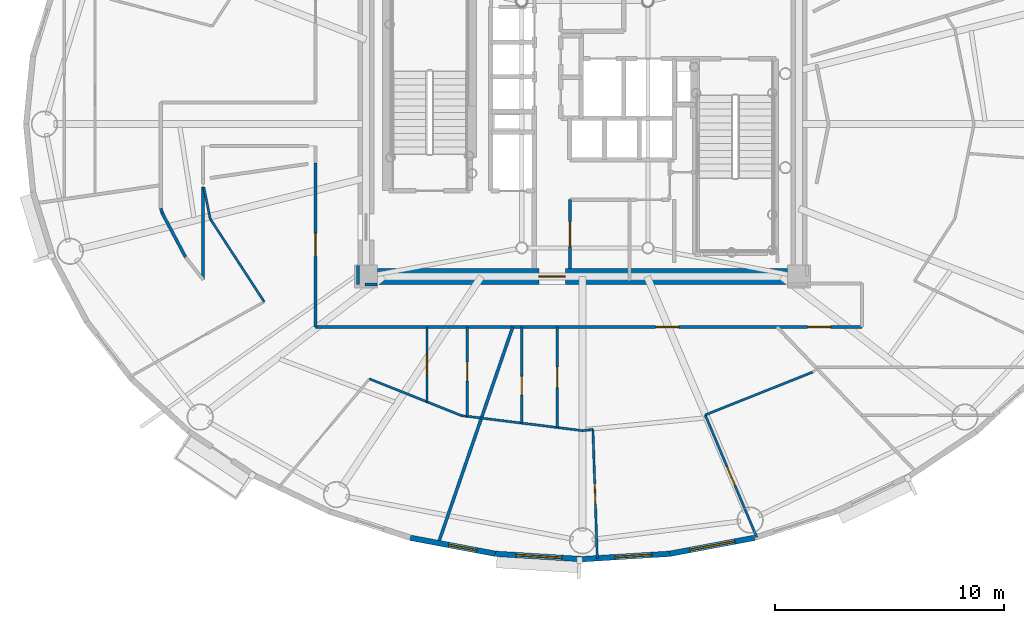
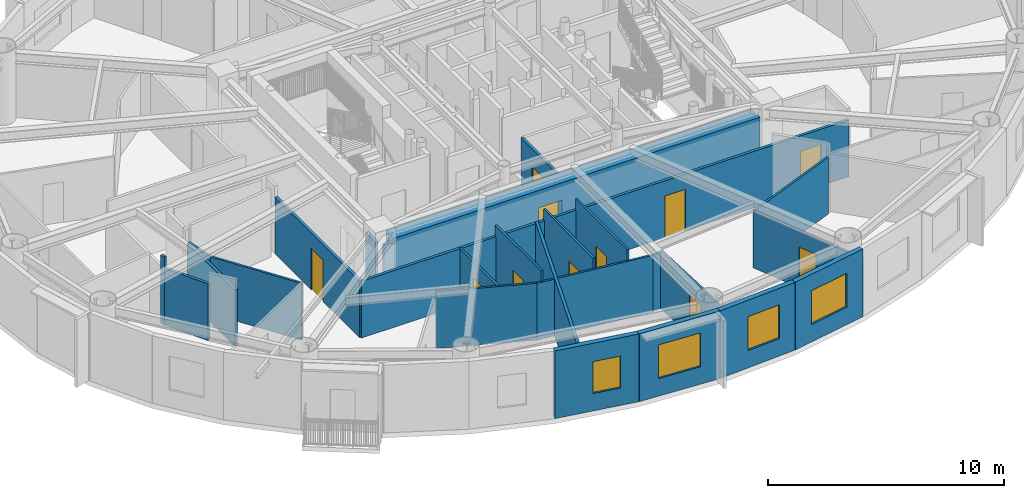
# One storey, part 7 of 19: 26 walls, 11 doors, 4 windows, 15 openings.
"""IFC4 building model written with IfcOpenShell, lengths in metres."""

from ifc_helpers import new_model, si_unit, direction, frame, frame_2d, origin, origin_2d, place, context, subcontext, project, spatial, rectangle, extrude, source, transform, mapped, material, layer, layer_set, type_object, element, fill, save


model = new_model("IFC4")

# Units and contexts
model_context = context("Model", 3, precision=1e-05, world=origin(), true_north=direction((0.0, 1.0)))
body_context = subcontext(model_context, "Body", "Model", "MODEL_VIEW")
ifc_project = project(units=[si_unit("LENGTHUNIT", "METRE"), si_unit("AREAUNIT", "SQUARE_METRE"), si_unit("VOLUMEUNIT", "CUBIC_METRE"), si_unit("PLANEANGLEUNIT", "RADIAN"), si_unit("MASSUNIT", "GRAM", prefix="KILO")], contexts=[model_context])

# Site, building, storey
site_placement = place(None, origin())
site = spatial("IfcSite", under=ifc_project, at=site_placement, CompositionType="ELEMENT")
building_placement = place(site_placement, origin())
building = spatial("IfcBuilding", under=site, at=building_placement, Name="Linh Dai School and Residence Tower", CompositionType="ELEMENT")
storey_placement = place(building_placement, frame((0.0, 0.0, 236.550048828125)))
storey = spatial("IfcBuildingStorey", under=building, at=storey_placement, Name="L58", CompositionType="ELEMENT", Elevation=236.550048828125)

# Wall, opening, window
ifc_material_1 = material(Name="Precast Concrete B45 (C35/45)", Category="concrete")
ifc_layer_1 = layer(ifc_material_1, 0.239990234375)
ifc_layer_set_1 = layer_set([ifc_layer_1], Name="Precast Concrete B45 (C35/45)")
wall_type_1 = type_object("IfcWallType", Name="EW-TC-240", PredefinedType="SOLIDWALL", material=ifc_layer_set_1)
wall_1_placement = place(storey_placement, frame((32.198486328125, 8.254150390625, 0.0), z_axis=(0.0, 0.0, 1.0), x_axis=(-0.982784898575, 0.184753465822, 0.0)))
wall_1 = element("IfcWall", 1, at=wall_1_placement, inside=storey, type_object=wall_type_1, Name="L58 Terracotta Exterior Wall 29", PredefinedType="SOLIDWALL", context=body_context, shape_type="SweptSolid", body=[
    extrude(rectangle(XDim=3.772705078125, YDim=0.239990234375, at=frame_2d((1.88623046875, 0.0))), origin(), (0.0, 0.0, 1.0), 3.5),
])
opening_1_placement = place(wall_1_placement, frame((0.824462890625, 0.0, 0.89990234375)))
opening_1 = element("IfcOpeningElement", 2, at=opening_1_placement, cuts=wall_1, Name="Opening W3", PredefinedType="OPENING", context=body_context, shape_type="SweptSolid", body=[
    extrude(rectangle(XDim=1.25, YDim=1.64990234375, at=origin_2d()), frame((0.625, 0.1298828125, 0.824951171875), z_axis=(0.0, -1.0, 0.0), x_axis=(1.0, 0.0, 0.0)), (0.0, 0.0, 1.0), 0.260009765625),
])
ifc_material_2 = material(Name="Double Low-E Insulated Glazing", Category="glass")
window_type_1 = type_object("IfcWindowType", Name="WN-RES-1250x1650", PartitioningType="SINGLE_PANEL", PredefinedType="WINDOW", material=ifc_material_2)
shared_shape_1 = source(origin(), body_context, "Body", "SweptSolid", [
    extrude(rectangle(XDim=1.25, YDim=1.64990234375, at=origin_2d()), frame((0.625, 0.030029296875, 0.824951171875), z_axis=(0.0, -1.0, 0.0), x_axis=(1.0, 0.0, 0.0)), (0.0, 0.0, 1.0), 0.06005859375),
])
window_1_placement = place(opening_1_placement, origin())
window_1 = element("IfcWindow", 3, at=window_1_placement, inside=storey, type_object=window_type_1, Name="L58 Exterior Window 29.1", OverallHeight=1.64990234375, OverallWidth=1.25, PartitioningType="SINGLE_PANEL", PredefinedType="WINDOW", context=body_context, shape_type="MappedRepresentation", body=[
    mapped(shared_shape_1, transform((0.0, 0.0, 0.0), x_axis=(1.0, 0.0, 0.0), y_axis=(0.0, 1.0, 0.0), z_axis=(0.0, 0.0, 1.0), scale=1.0)),
])
fill(opening_1, window_1)

wall_2_placement = place(storey_placement, frame((36.0, 8.02001953125, 0.0), z_axis=(0.0, 0.0, 1.0), x_axis=(-0.998108785312, 0.06147237333, 0.0)))
wall_2 = element("IfcWall", 4, at=wall_2_placement, inside=storey, type_object=wall_type_1, Name="L58 Terracotta Exterior Wall 30", PredefinedType="SOLIDWALL", context=body_context, shape_type="SweptSolid", body=[
    extrude(rectangle(XDim=3.808837890625, YDim=0.239990234375, at=frame_2d((1.904296875, 0.0))), origin(), (0.0, 0.0, 1.0), 3.5),
])
opening_2_placement = place(wall_2_placement, frame((0.904296875, 0.0, 0.89990234375)))
opening_2 = element("IfcOpeningElement", 5, at=opening_2_placement, cuts=wall_2, Name="Opening W1", PredefinedType="OPENING", context=body_context, shape_type="SweptSolid", body=[
    extrude(rectangle(XDim=2.0, YDim=1.75, at=origin_2d()), frame((1.0, 0.1298828125, 0.875), z_axis=(0.0, -1.0, 0.0), x_axis=(1.0, 0.0, 0.0)), (0.0, 0.0, 1.0), 0.260009765625),
])
window_type_2 = type_object("IfcWindowType", Name="WN-RES-2000x1750", PartitioningType="DOUBLE_PANEL_VERTICAL", PredefinedType="WINDOW", material=ifc_material_2)
shared_shape_2 = source(origin(), body_context, "Body", "SweptSolid", [
    extrude(rectangle(XDim=2.0, YDim=1.75, at=origin_2d()), frame((1.0, 0.030029296875, 0.875), z_axis=(0.0, -1.0, 0.0), x_axis=(1.0, 0.0, 0.0)), (0.0, 0.0, 1.0), 0.06005859375),
])
window_2_placement = place(opening_2_placement, origin())
window_2 = element("IfcWindow", 6, at=window_2_placement, inside=storey, type_object=window_type_2, Name="L58 Exterior Window 30.1", OverallHeight=1.75, OverallWidth=2.0, PartitioningType="DOUBLE_PANEL_VERTICAL", PredefinedType="WINDOW", context=body_context, shape_type="MappedRepresentation", body=[
    mapped(shared_shape_2, transform((0.0, 0.0, 0.0), x_axis=(1.0, 0.0, 0.0), y_axis=(0.0, 1.0, 0.0), z_axis=(0.0, 0.0, 1.0), scale=1.0)),
])
fill(opening_2, window_2)

wall_3_placement = place(storey_placement, frame((39.801513671875, 8.254150390625, 0.0), z_axis=(0.0, 0.0, 1.0), x_axis=(-0.998108785312, -0.06147237333, 0.0)))
wall_3 = element("IfcWall", 7, at=wall_3_placement, inside=storey, type_object=wall_type_1, Name="L58 Terracotta Exterior Wall 31", PredefinedType="SOLIDWALL", context=body_context, shape_type="SweptSolid", body=[
    extrude(rectangle(XDim=3.808837890625, YDim=0.239990234375, at=frame_2d((1.904296875, 0.0))), origin(), (0.0, 0.0, 1.0), 3.5),
])
opening_3_placement = place(wall_3_placement, frame((0.78466796875, 0.0, 0.89990234375)))
opening_3 = element("IfcOpeningElement", 8, at=opening_3_placement, cuts=wall_3, Name="Opening W2", PredefinedType="OPENING", context=body_context, shape_type="SweptSolid", body=[
    extrude(rectangle(XDim=1.60009765625, YDim=1.75, at=origin_2d()), frame((0.800048828125, 0.1298828125, 0.875), z_axis=(0.0, -1.0, 0.0), x_axis=(1.0, 0.0, 0.0)), (0.0, 0.0, 1.0), 0.260009765625),
])
window_type_3 = type_object("IfcWindowType", Name="WN-RES-1600x1750", PartitioningType="DOUBLE_PANEL_VERTICAL", PredefinedType="WINDOW", material=ifc_material_2)
shared_shape_3 = source(origin(), body_context, "Body", "SweptSolid", [
    extrude(rectangle(XDim=1.60009765625, YDim=1.75, at=origin_2d()), frame((0.800048828125, 0.030029296875, 0.875), z_axis=(0.0, -1.0, 0.0), x_axis=(1.0, 0.0, 0.0)), (0.0, 0.0, 1.0), 0.06005859375),
])
window_3_placement = place(opening_3_placement, origin())
window_3 = element("IfcWindow", 9, at=window_3_placement, inside=storey, type_object=window_type_3, Name="L58 Exterior Window 31.1", OverallHeight=1.75, OverallWidth=1.60009765625, PartitioningType="DOUBLE_PANEL_VERTICAL", PredefinedType="WINDOW", context=body_context, shape_type="MappedRepresentation", body=[
    mapped(shared_shape_3, transform((0.0, 0.0, 0.0), x_axis=(1.0, 0.0, 0.0), y_axis=(0.0, 1.0, 0.0), z_axis=(0.0, 0.0, 1.0), scale=1.0)),
])
fill(opening_3, window_3)

wall_4_placement = place(storey_placement, frame((43.50927734375, 8.951171875, 0.0), z_axis=(0.0, 0.0, 1.0), x_axis=(-0.982784898575, -0.184753465822, 0.0)))
wall_4 = element("IfcWall", 10, at=wall_4_placement, inside=storey, type_object=wall_type_1, Name="L58 Terracotta Exterior Wall 32", PredefinedType="SOLIDWALL", context=body_context, shape_type="SweptSolid", body=[
    extrude(rectangle(XDim=3.772705078125, YDim=0.239990234375, at=frame_2d((1.88623046875, 0.0))), origin(), (0.0, 0.0, 1.0), 3.5),
])
opening_4_placement = place(wall_4_placement, frame((0.88623046875, 0.0, 0.89990234375)))
opening_4 = element("IfcOpeningElement", 11, at=opening_4_placement, cuts=wall_4, Name="Opening W1", PredefinedType="OPENING", context=body_context, shape_type="SweptSolid", body=[
    extrude(rectangle(XDim=2.0, YDim=1.75, at=origin_2d()), frame((1.0, 0.1298828125, 0.875), z_axis=(0.0, -1.0, 0.0), x_axis=(1.0, 0.0, 0.0)), (0.0, 0.0, 1.0), 0.260009765625),
])
window_4_placement = place(opening_4_placement, origin())
window_4 = element("IfcWindow", 12, at=window_4_placement, inside=storey, type_object=window_type_2, Name="L58 Exterior Window 32.1", OverallHeight=1.75, OverallWidth=2.0, PartitioningType="DOUBLE_PANEL_VERTICAL", PredefinedType="WINDOW", context=body_context, shape_type="MappedRepresentation", body=[
    mapped(shared_shape_2, transform((0.0, 0.0, 0.0), x_axis=(1.0, 0.0, 0.0), y_axis=(0.0, 1.0, 0.0), z_axis=(0.0, 0.0, 1.0), scale=1.0)),
])
fill(opening_4, window_4)

# Walls
ifc_material_3 = material(Name="Autoclaved Aerated Concrete Blockwork", Category="masonry")
ifc_layer_2 = layer(ifc_material_3, 0.135009765625)
ifc_layer_set_2 = layer_set([ifc_layer_2], Name="Autoclaved Aerated Concrete Blockwork")
wall_type_2 = type_object("IfcWallType", Name="IW-CORR-135-EI90", PredefinedType="PARTITIONING", material=ifc_layer_set_2)
wall_5_placement = place(storey_placement, frame((17.60009765625, 23.327880859375, 0.0), z_axis=(0.0, 0.0, 1.0), x_axis=(0.292875000845, -0.956150738053, 0.0)))
element("IfcWall", 13, at=wall_5_placement, inside=storey, type_object=wall_type_2, Name="L58 Interior Partition Wall 008", PredefinedType="PARTITIONING", context=body_context, shape_type="SweptSolid", body=[
    extrude(rectangle(XDim=0.226806640625, YDim=0.135009765625, at=frame_2d((0.11328125, 0.0))), origin(), (0.0, 0.0, 1.0), 3.5),
])
wall_6_placement = place(storey_placement, frame((17.66650390625, 23.111083984375, 0.0), z_axis=(0.0, 0.0, 1.0), x_axis=(0.467675622269, -0.883900171024, 0.0)))
element("IfcWall", 14, at=wall_6_placement, inside=storey, type_object=wall_type_2, Name="L58 Interior Partition Wall 010", PredefinedType="PARTITIONING", context=body_context, shape_type="SweptSolid", body=[
    extrude(rectangle(XDim=2.16845703125, YDim=0.135009765625, at=frame_2d((1.084228515625, 0.0))), origin(), (0.0, 0.0, 1.0), 2.93505859375),
])
wall_7_placement = place(storey_placement, frame((19.449951171875, 20.211181640625, 0.0), z_axis=(0.0, 0.0, 1.0), x_axis=(0.0, 1.0, 0.0)))
element("IfcWall", 15, at=wall_7_placement, inside=storey, type_object=wall_type_2, Name="L58 Interior Partition Wall 013", PredefinedType="PARTITIONING", context=body_context, shape_type="SweptSolid", body=[
    extrude(rectangle(XDim=4.042236328125, YDim=0.135009765625, at=frame_2d((2.02099609375, 0.0))), origin(), (0.0, 0.0, 1.0), 2.93505859375),
])

# Wall, opening, door
wall_8_placement = place(storey_placement, frame((24.35009765625, 18.14990234375, 0.0), z_axis=(0.0, 0.0, 1.0), x_axis=(0.0, 1.0, 0.0)))
wall_8 = element("IfcWall", 16, at=wall_8_placement, inside=storey, type_object=wall_type_2, Name="L58 Interior Partition Wall 020", PredefinedType="PARTITIONING", context=body_context, shape_type="SweptSolid", body=[
    extrude(rectangle(XDim=7.16259765625, YDim=0.135009765625, at=frame_2d((3.581298828125, 0.0))), origin(), (0.0, 0.0, 1.0), 2.93505859375),
])
opening_5_placement = place(wall_8_placement, frame((3.081298828125, 0.0, 0.0)))
opening_5 = element("IfcOpeningElement", 17, at=opening_5_placement, cuts=wall_8, Name="Opening D03", PredefinedType="OPENING", context=body_context, shape_type="SweptSolid", body=[
    extrude(rectangle(XDim=1.0, YDim=2.14990234375, at=origin_2d()), frame((0.5, 0.07763671875, 1.074951171875), z_axis=(0.0, -1.0, 0.0), x_axis=(1.0, 0.0, 0.0)), (0.0, 0.0, 1.0), 0.155029296875),
])
ifc_material_4 = material(Name="Fire-Rated Solid Timber Entrance Door", Category="wood")
door_type_1 = type_object("IfcDoorType", Name="DR-FLAT-1000x2150-FD60S", OperationType="NOTDEFINED", PredefinedType="DOOR", material=ifc_material_4)
shared_shape_4 = source(origin(), body_context, "Body", "SweptSolid", [
    extrude(rectangle(XDim=1.0, YDim=2.14990234375, at=origin_2d()), frame((0.5, 0.02490234375, 1.074951171875), z_axis=(0.0, -1.0, 0.0), x_axis=(1.0, 0.0, 0.0)), (0.0, 0.0, 1.0), 0.050048828125),
])
door_1_placement = place(opening_5_placement, origin())
door_1 = element("IfcDoor", 18, at=door_1_placement, inside=storey, type_object=door_type_1, Name="L58 U5803 Apartment Entrance Door", OperationType="SINGLE_SWING_RIGHT", OverallHeight=2.14990234375, OverallWidth=1.0, PredefinedType="DOOR", context=body_context, shape_type="MappedRepresentation", body=[
    mapped(shared_shape_4, transform((0.0, 0.0, 0.0), x_axis=(1.0, 0.0, 0.0), y_axis=(0.0, 1.0, 0.0), z_axis=(0.0, 0.0, 1.0), scale=1.0)),
])
fill(opening_5, door_1)

# Wall, openings, doors
wall_9_placement = place(storey_placement, frame((24.35009765625, 18.14990234375, 0.0), z_axis=(0.0, 0.0, 1.0), x_axis=(1.0, 0.0, 0.0)))
wall_9 = element("IfcWall", 19, at=wall_9_placement, inside=storey, type_object=wall_type_2, Name="L58 Interior Partition Wall 021", PredefinedType="PARTITIONING", context=body_context, shape_type="SweptSolid", body=[
    extrude(rectangle(XDim=23.849853515625, YDim=0.135009765625, at=frame_2d((11.9248046875, 0.0))), origin(), (0.0, 0.0, 1.0), 2.93505859375),
])
opening_6_placement = place(wall_9_placement, frame((14.838134765625, 0.0, 0.0)))
opening_6 = element("IfcOpeningElement", 20, at=opening_6_placement, cuts=wall_9, Name="Opening D03", PredefinedType="OPENING", context=body_context, shape_type="SweptSolid", body=[
    extrude(rectangle(XDim=1.0, YDim=2.14990234375, at=origin_2d()), frame((0.5, 0.07763671875, 1.074951171875), z_axis=(0.0, -1.0, 0.0), x_axis=(1.0, 0.0, 0.0)), (0.0, 0.0, 1.0), 0.155029296875),
])
opening_7_placement = place(wall_9_placement, frame((21.472412109375, 0.0, 0.0)))
opening_7 = element("IfcOpeningElement", 21, at=opening_7_placement, cuts=wall_9, Name="Opening D03", PredefinedType="OPENING", context=body_context, shape_type="SweptSolid", body=[
    extrude(rectangle(XDim=1.0, YDim=2.14990234375, at=origin_2d()), frame((0.5, 0.07763671875, 1.074951171875), z_axis=(0.0, -1.0, 0.0), x_axis=(1.0, 0.0, 0.0)), (0.0, 0.0, 1.0), 0.155029296875),
])
door_2_placement = place(opening_6_placement, origin())
door_2 = element("IfcDoor", 22, at=door_2_placement, inside=storey, type_object=door_type_1, Name="L58 U5804 Apartment Entrance Door", OperationType="SINGLE_SWING_LEFT", OverallHeight=2.14990234375, OverallWidth=1.0, PredefinedType="DOOR", context=body_context, shape_type="MappedRepresentation", body=[
    mapped(shared_shape_4, transform((0.0, 0.0, 0.0), x_axis=(1.0, 0.0, 0.0), y_axis=(0.0, 1.0, 0.0), z_axis=(0.0, 0.0, 1.0), scale=1.0)),
])
fill(opening_6, door_2)
door_3_placement = place(opening_7_placement, origin())
door_3 = element("IfcDoor", 23, at=door_3_placement, inside=storey, type_object=door_type_1, Name="L58 U5805 Apartment Entrance Door", OperationType="SINGLE_SWING_RIGHT", OverallHeight=2.14990234375, OverallWidth=1.0, PredefinedType="DOOR", context=body_context, shape_type="MappedRepresentation", body=[
    mapped(shared_shape_4, transform((0.0, 0.0, 0.0), x_axis=(1.0, 0.0, 0.0), y_axis=(0.0, 1.0, 0.0), z_axis=(0.0, 0.0, 1.0), scale=1.0)),
])
fill(opening_7, door_3)

# Wall
wall_10_placement = place(storey_placement, frame((29.7109375, 8.716796875, 0.0), z_axis=(0.0, 0.0, 1.0), x_axis=(0.325280852175, 0.945617452889, 0.0)))
element("IfcWall", 24, at=wall_10_placement, inside=storey, type_object=wall_type_2, Name="L58 Interior Partition Wall 029", PredefinedType="PARTITIONING", context=body_context, shape_type="SweptSolid", body=[
    extrude(rectangle(XDim=9.9755859375, YDim=0.135009765625, at=frame_2d((4.98779296875, 0.0))), origin(), (0.0, 0.0, 1.0), 2.98486328125),
])

# Wall, opening, door
wall_11_placement = place(storey_placement, frame((35.449951171875, 20.699951171875, 0.0), z_axis=(0.0, 0.0, 1.0), x_axis=(0.0, 1.0, 0.0)))
wall_11 = element("IfcWall", 25, at=wall_11_placement, inside=storey, type_object=wall_type_2, Name="L58 Interior Partition Wall 052", PredefinedType="PARTITIONING", context=body_context, shape_type="SweptSolid", body=[
    extrude(rectangle(XDim=3.0, YDim=0.135009765625, at=frame_2d((1.5, 0.0))), origin(), (0.0, 0.0, 1.0), 3.0849609375),
])
opening_8_placement = place(wall_11_placement, frame((0.949951171875, 0.0, 0.0)))
opening_8 = element("IfcOpeningElement", 26, at=opening_8_placement, cuts=wall_11, Name="Opening D07", PredefinedType="OPENING", context=body_context, shape_type="SweptSolid", body=[
    extrude(rectangle(XDim=1.10009765625, YDim=2.14990234375, at=origin_2d()), frame((0.550048828125, 0.07763671875, 1.074951171875), z_axis=(0.0, -1.0, 0.0), x_axis=(1.0, 0.0, 0.0)), (0.0, 0.0, 1.0), 0.155029296875),
])
ifc_material_5 = material(Name="Fire-Rated Louvred Steel Plant Door", Category="steel")
door_type_2 = type_object("IfcDoorType", Name="DR-PLT-1100x2150-FD60S", OperationType="NOTDEFINED", PredefinedType="DOOR", material=ifc_material_5)
shared_shape_5 = source(origin(), body_context, "Body", "SweptSolid", [
    extrude(rectangle(XDim=1.10009765625, YDim=2.14990234375, at=origin_2d()), frame((0.550048828125, 0.02490234375, 1.074951171875), z_axis=(0.0, -1.0, 0.0), x_axis=(1.0, 0.0, 0.0)), (0.0, 0.0, 1.0), 0.050048828125),
])
door_4_placement = place(opening_8_placement, origin())
door_4 = element("IfcDoor", 27, at=door_4_placement, inside=storey, type_object=door_type_2, Name="L58 Floor Electrical Switchroom Door", OperationType="SINGLE_SWING_RIGHT", OverallHeight=2.14990234375, OverallWidth=1.10009765625, PredefinedType="DOOR", context=body_context, shape_type="MappedRepresentation", body=[
    mapped(shared_shape_5, transform((0.0, 0.0, 0.0), x_axis=(1.0, 0.0, 0.0), y_axis=(0.0, 1.0, 0.0), z_axis=(0.0, 0.0, 1.0), scale=1.0)),
])
fill(opening_8, door_4)

# Walls
wall_12_placement = place(storey_placement, frame((26.199951171875, 20.840087890625, 0.0), z_axis=(0.0, 0.0, 1.0), x_axis=(0.0, -1.0, 0.0)))
element("IfcWall", 28, at=wall_12_placement, inside=storey, type_object=wall_type_2, Name="L58 Interior Partition Wall 112", PredefinedType="PARTITIONING", context=body_context, shape_type="SweptSolid", body=[
    extrude(rectangle(XDim=0.840087890625, YDim=0.135009765625, at=frame_2d((0.419921875, 0.0))), origin(), (0.0, 0.0, 1.0), 3.18505859375),
])
wall_13_placement = place(storey_placement, frame((26.507568359375, 20.0, 0.0), z_axis=(0.0, 0.0, 1.0), x_axis=(1.0, 0.0, 0.0)))
element("IfcWall", 29, at=wall_13_placement, inside=storey, type_object=wall_type_2, Name="L58 Interior Partition Wall 113", PredefinedType="PARTITIONING", context=body_context, shape_type="SweptSolid", body=[
    extrude(rectangle(XDim=0.532470703125, YDim=0.135009765625, at=frame_2d((0.26611328125, 0.0))), origin(), (0.0, 0.0, 1.0), 2.93505859375),
])
ifc_material_6 = material(Name="Gypsum Plasterboard Acoustic Stud Partition", Category="masonry")
ifc_layer_3 = layer(ifc_material_6, 0.10009765625)
ifc_layer_set_3 = layer_set([ifc_layer_3], Name="Gypsum Plasterboard Acoustic Stud Partition")
wall_type_3 = type_object("IfcWallType", Name="IW-UNIT-100", PredefinedType="PARTITIONING", material=ifc_layer_set_3)
wall_14_placement = place(storey_placement, frame((19.47509765625, 24.255859375, 0.0), z_axis=(0.0, 0.0, 1.0), x_axis=(0.198203790622, -0.980160832406, 0.0)))
element("IfcWall", 30, at=wall_14_placement, inside=storey, type_object=wall_type_3, Name="L58 Interior Partition Wall 015", PredefinedType="PARTITIONING", context=body_context, shape_type="SweptSolid", body=[
    extrude(rectangle(XDim=1.41650390625, YDim=0.10009765625, at=frame_2d((0.708251953125, 0.0))), origin(), (0.0, 0.0, 1.0), 2.93505859375),
])
wall_15_placement = place(storey_placement, frame((19.755859375, 22.867431640625, 0.0), z_axis=(0.0, 0.0, 1.0), x_axis=(0.545441385955, -0.83814896915, 0.0)))
element("IfcWall", 31, at=wall_15_placement, inside=storey, type_object=wall_type_3, Name="L58 Interior Partition Wall 016", PredefinedType="PARTITIONING", context=body_context, shape_type="SweptSolid", body=[
    extrude(rectangle(XDim=4.318115234375, YDim=0.10009765625, at=frame_2d((2.1591796875, 0.0))), origin(), (0.0, 0.0, 1.0), 2.93505859375),
])
wall_16_placement = place(storey_placement, frame((26.703369140625, 15.88427734375, 0.0), z_axis=(0.0, 0.0, 1.0), x_axis=(0.928807108231, -0.370563564991, 0.0)))
element("IfcWall", 32, at=wall_16_placement, inside=storey, type_object=wall_type_3, Name="L58 Interior Partition Wall 025", PredefinedType="PARTITIONING", context=body_context, shape_type="SweptSolid", body=[
    extrude(rectangle(XDim=4.32666015625, YDim=0.10009765625, at=frame_2d((2.163330078125, 0.0))), origin(), (0.0, 0.0, 1.0), 2.93505859375),
])

# Wall, opening, door
wall_17_placement = place(storey_placement, frame((29.212890625, 14.883056640625, 0.0), z_axis=(0.0, 0.0, 1.0), x_axis=(0.0, 1.0, 0.0)))
wall_17 = element("IfcWall", 33, at=wall_17_placement, inside=storey, type_object=wall_type_3, Name="L58 Interior Partition Wall 027", PredefinedType="PARTITIONING", context=body_context, shape_type="SweptSolid", body=[
    extrude(rectangle(XDim=3.266845703125, YDim=0.10009765625, at=frame_2d((1.63330078125, 0.0))), origin(), (0.0, 0.0, 1.0), 2.93505859375),
])
opening_9_placement = place(wall_17_placement, frame((1.183349609375, 0.0, 0.0)))
opening_9 = element("IfcOpeningElement", 34, at=opening_9_placement, cuts=wall_17, Name="Opening D05", PredefinedType="OPENING", context=body_context, shape_type="SweptSolid", body=[
    extrude(rectangle(XDim=0.89990234375, YDim=2.10009765625, at=origin_2d()), frame((0.449951171875, 0.06005859375, 1.050048828125), z_axis=(0.0, -1.0, 0.0), x_axis=(1.0, 0.0, 0.0)), (0.0, 0.0, 1.0), 0.1201171875),
])
ifc_material_7 = material(Name="Engineered Timber Internal Door", Category="wood")
door_type_3 = type_object("IfcDoorType", Name="DR-INT-900x2100", OperationType="NOTDEFINED", PredefinedType="DOOR", material=ifc_material_7)
shared_shape_6 = source(origin(), body_context, "Body", "SweptSolid", [
    extrude(rectangle(XDim=0.89990234375, YDim=2.10009765625, at=origin_2d()), frame((0.449951171875, 0.02490234375, 1.050048828125), z_axis=(0.0, -1.0, 0.0), x_axis=(1.0, 0.0, 0.0)), (0.0, 0.0, 1.0), 0.050048828125),
])
door_5_placement = place(opening_9_placement, origin())
door_5 = element("IfcDoor", 35, at=door_5_placement, inside=storey, type_object=door_type_3, Name="L58 Apartment U5803 Kitchen Door", OperationType="SINGLE_SWING_LEFT", OverallHeight=2.10009765625, OverallWidth=0.89990234375, PredefinedType="DOOR", context=body_context, shape_type="MappedRepresentation", body=[
    mapped(shared_shape_6, transform((0.0, 0.0, 0.0), x_axis=(1.0, 0.0, 0.0), y_axis=(0.0, 1.0, 0.0), z_axis=(0.0, 0.0, 1.0), scale=1.0)),
])
fill(opening_9, door_5)

# Wall
wall_18_placement = place(storey_placement, frame((30.721923828125, 14.281005859375, 0.0), z_axis=(0.0, 0.0, 1.0), x_axis=(0.992398864395, -0.123062967412, 0.0)))
element("IfcWall", 36, at=wall_18_placement, inside=storey, type_object=wall_type_3, Name="L58 Interior Partition Wall 030", PredefinedType="PARTITIONING", context=body_context, shape_type="SweptSolid", body=[
    extrude(rectangle(XDim=5.31884765625, YDim=0.10009765625, at=frame_2d((2.659423828125, 0.0))), origin(), (0.0, 0.0, 1.0), 2.93505859375),
])

# Wall, opening, door
wall_19_placement = place(storey_placement, frame((30.96484375, 14.2509765625, 0.0), z_axis=(0.0, 0.0, 1.0), x_axis=(0.0, 1.0, 0.0)))
wall_19 = element("IfcWall", 37, at=wall_19_placement, inside=storey, type_object=wall_type_3, Name="L58 Interior Partition Wall 032", PredefinedType="PARTITIONING", context=body_context, shape_type="SweptSolid", body=[
    extrude(rectangle(XDim=3.89892578125, YDim=0.10009765625, at=frame_2d((1.949462890625, 0.0))), origin(), (0.0, 0.0, 1.0), 3.5),
])
opening_10_placement = place(wall_19_placement, frame((1.53955078125, 0.0, 0.0)))
opening_10 = element("IfcOpeningElement", 38, at=opening_10_placement, cuts=wall_19, Name="Opening D06", PredefinedType="OPENING", context=body_context, shape_type="SweptSolid", body=[
    extrude(rectangle(XDim=0.820068359375, YDim=2.10009765625, at=origin_2d()), frame((0.41015625, 0.06005859375, 1.050048828125), z_axis=(0.0, -1.0, 0.0), x_axis=(1.0, 0.0, 0.0)), (0.0, 0.0, 1.0), 0.1201171875),
])
ifc_material_8 = material(Name="Moisture-Resistant Timber Bathroom Door", Category="wood")
door_type_4 = type_object("IfcDoorType", Name="DR-WET-820x2100", OperationType="NOTDEFINED", PredefinedType="DOOR", material=ifc_material_8)
shared_shape_7 = source(origin(), body_context, "Body", "SweptSolid", [
    extrude(rectangle(XDim=0.820068359375, YDim=2.10009765625, at=origin_2d()), frame((0.41015625, 0.02490234375, 1.050048828125), z_axis=(0.0, -1.0, 0.0), x_axis=(1.0, 0.0, 0.0)), (0.0, 0.0, 1.0), 0.050048828125),
])
door_6_placement = place(opening_10_placement, origin())
door_6 = element("IfcDoor", 39, at=door_6_placement, inside=storey, type_object=door_type_4, Name="L58 Apartment U5803 Bathroom 1 Door", OperationType="SINGLE_SWING_RIGHT", OverallHeight=2.10009765625, OverallWidth=0.820068359375, PredefinedType="DOOR", context=body_context, shape_type="MappedRepresentation", body=[
    mapped(shared_shape_7, transform((0.0, 0.0, 0.0), x_axis=(1.0, 0.0, 0.0), y_axis=(0.0, 1.0, 0.0), z_axis=(0.0, 0.0, 1.0), scale=1.0)),
])
fill(opening_10, door_6)

wall_20_placement = place(storey_placement, frame((33.344970703125, 13.955810546875, 0.0), z_axis=(0.0, 0.0, 1.0), x_axis=(0.0, 1.0, 0.0)))
wall_20 = element("IfcWall", 40, at=wall_20_placement, inside=storey, type_object=wall_type_3, Name="L58 Interior Partition Wall 042", PredefinedType="PARTITIONING", context=body_context, shape_type="SweptSolid", body=[
    extrude(rectangle(XDim=4.194091796875, YDim=0.10009765625, at=frame_2d((2.09716796875, 0.0))), origin(), (0.0, 0.0, 1.0), 3.5),
])
opening_11_placement = place(wall_20_placement, frame((1.217041015625, 0.0, 0.0)))
opening_11 = element("IfcOpeningElement", 41, at=opening_11_placement, cuts=wall_20, Name="Opening D06", PredefinedType="OPENING", context=body_context, shape_type="SweptSolid", body=[
    extrude(rectangle(XDim=0.820068359375, YDim=2.10009765625, at=origin_2d()), frame((0.41015625, 0.06005859375, 1.050048828125), z_axis=(0.0, -1.0, 0.0), x_axis=(1.0, 0.0, 0.0)), (0.0, 0.0, 1.0), 0.1201171875),
])
door_7_placement = place(opening_11_placement, origin())
door_7 = element("IfcDoor", 42, at=door_7_placement, inside=storey, type_object=door_type_4, Name="L58 Apartment U5804 Bathroom 1 Door", OperationType="SINGLE_SWING_LEFT", OverallHeight=2.10009765625, OverallWidth=0.820068359375, PredefinedType="DOOR", context=body_context, shape_type="MappedRepresentation", body=[
    mapped(shared_shape_7, transform((0.0, 0.0, 0.0), x_axis=(1.0, 0.0, 0.0), y_axis=(0.0, 1.0, 0.0), z_axis=(0.0, 0.0, 1.0), scale=1.0)),
])
fill(opening_11, door_7)

wall_21_placement = place(storey_placement, frame((34.89111328125, 13.763916015625, 0.0), z_axis=(0.0, 0.0, 1.0), x_axis=(0.0, 1.0, 0.0)))
wall_21 = element("IfcWall", 43, at=wall_21_placement, inside=storey, type_object=wall_type_3, Name="L58 Interior Partition Wall 045", PredefinedType="PARTITIONING", context=body_context, shape_type="SweptSolid", body=[
    extrude(rectangle(XDim=4.385986328125, YDim=0.10009765625, at=frame_2d((2.19287109375, 0.0))), origin(), (0.0, 0.0, 1.0), 3.5),
])
opening_12_placement = place(wall_21_placement, frame((1.742919921875, 0.0, 0.0)))
opening_12 = element("IfcOpeningElement", 44, at=opening_12_placement, cuts=wall_21, Name="Opening D05", PredefinedType="OPENING", context=body_context, shape_type="SweptSolid", body=[
    extrude(rectangle(XDim=0.89990234375, YDim=2.10009765625, at=origin_2d()), frame((0.449951171875, 0.06005859375, 1.050048828125), z_axis=(0.0, -1.0, 0.0), x_axis=(1.0, 0.0, 0.0)), (0.0, 0.0, 1.0), 0.1201171875),
])
door_8_placement = place(opening_12_placement, origin())
door_8 = element("IfcDoor", 45, at=door_8_placement, inside=storey, type_object=door_type_3, Name="L58 Apartment U5804 Kitchen Door", OperationType="SINGLE_SWING_RIGHT", OverallHeight=2.10009765625, OverallWidth=0.89990234375, PredefinedType="DOOR", context=body_context, shape_type="MappedRepresentation", body=[
    mapped(shared_shape_6, transform((0.0, 0.0, 0.0), x_axis=(1.0, 0.0, 0.0), y_axis=(0.0, 1.0, 0.0), z_axis=(0.0, 0.0, 1.0), scale=1.0)),
])
fill(opening_12, door_8)

# Wall
wall_22_placement = place(storey_placement, frame((36.0, 13.62646484375, 0.0), z_axis=(0.0, 0.0, 1.0), x_axis=(0.992368340182, 0.123308869931, 0.0)))
element("IfcWall", 46, at=wall_22_placement, inside=storey, type_object=wall_type_3, Name="L58 Interior Partition Wall 059", PredefinedType="PARTITIONING", context=body_context, shape_type="SweptSolid", body=[
    extrude(rectangle(XDim=0.455322265625, YDim=0.10009765625, at=frame_2d((0.2275390625, 0.0))), origin(), (0.0, 0.0, 1.0), 2.93505859375),
])

# Wall, opening, door
wall_23_placement = place(storey_placement, frame((36.451904296875, 13.6826171875, 0.0), z_axis=(0.0, 0.0, 1.0), x_axis=(0.033903801357, -0.999425100872, 0.0)))
wall_23 = element("IfcWall", 47, at=wall_23_placement, inside=storey, type_object=wall_type_3, Name="L58 Interior Partition Wall 062", PredefinedType="PARTITIONING", context=body_context, shape_type="SweptSolid", body=[
    extrude(rectangle(XDim=5.631103515625, YDim=0.10009765625, at=frame_2d((2.8154296875, 0.0))), origin(), (0.0, 0.0, 1.0), 2.98486328125),
])
opening_13_placement = place(wall_23_placement, frame((2.365478515625, 0.0, 0.0)))
opening_13 = element("IfcOpeningElement", 48, at=opening_13_placement, cuts=wall_23, Name="Opening D05", PredefinedType="OPENING", context=body_context, shape_type="SweptSolid", body=[
    extrude(rectangle(XDim=0.89990234375, YDim=2.10009765625, at=origin_2d()), frame((0.449951171875, 0.06005859375, 1.050048828125), z_axis=(0.0, -1.0, 0.0), x_axis=(1.0, 0.0, 0.0)), (0.0, 0.0, 1.0), 0.1201171875),
])
door_9_placement = place(opening_13_placement, origin())
door_9 = element("IfcDoor", 49, at=door_9_placement, inside=storey, type_object=door_type_3, Name="L58 Apartment U5804 Bedroom 1 Door", OperationType="SINGLE_SWING_RIGHT", OverallHeight=2.10009765625, OverallWidth=0.89990234375, PredefinedType="DOOR", context=body_context, shape_type="MappedRepresentation", body=[
    mapped(shared_shape_6, transform((0.0, 0.0, 0.0), x_axis=(1.0, 0.0, 0.0), y_axis=(0.0, 1.0, 0.0), z_axis=(0.0, 0.0, 1.0), scale=1.0)),
])
fill(opening_13, door_9)

wall_24_placement = place(storey_placement, frame((41.35205078125, 14.310546875, 0.0), z_axis=(0.0, 0.0, 1.0), x_axis=(0.388594226314, -0.921408990229, 0.0)))
wall_24 = element("IfcWall", 50, at=wall_24_placement, inside=storey, type_object=wall_type_3, Name="L58 Interior Partition Wall 076", PredefinedType="PARTITIONING", context=body_context, shape_type="SweptSolid", body=[
    extrude(rectangle(XDim=5.78955078125, YDim=0.10009765625, at=frame_2d((2.894775390625, 0.0))), origin(), (0.0, 0.0, 1.0), 2.93505859375),
])
opening_14_placement = place(wall_24_placement, frame((2.44482421875, 0.0, 0.0)))
opening_14 = element("IfcOpeningElement", 51, at=opening_14_placement, cuts=wall_24, Name="Opening D05", PredefinedType="OPENING", context=body_context, shape_type="SweptSolid", body=[
    extrude(rectangle(XDim=0.89990234375, YDim=2.10009765625, at=origin_2d()), frame((0.449951171875, 0.06005859375, 1.050048828125), z_axis=(0.0, -1.0, 0.0), x_axis=(1.0, 0.0, 0.0)), (0.0, 0.0, 1.0), 0.1201171875),
])
door_10_placement = place(opening_14_placement, origin())
door_10 = element("IfcDoor", 52, at=door_10_placement, inside=storey, type_object=door_type_3, Name="L58 Apartment U5804 Bedroom 2 Door", OperationType="SINGLE_SWING_LEFT", OverallHeight=2.10009765625, OverallWidth=0.89990234375, PredefinedType="DOOR", context=body_context, shape_type="MappedRepresentation", body=[
    mapped(shared_shape_6, transform((0.0, 0.0, 0.0), x_axis=(1.0, 0.0, 0.0), y_axis=(0.0, 1.0, 0.0), z_axis=(0.0, 0.0, 1.0), scale=1.0)),
])
fill(opening_14, door_10)

# Wall
wall_25_placement = place(storey_placement, frame((41.35205078125, 14.310546875, 0.0), z_axis=(0.0, 0.0, 1.0), x_axis=(0.928803297531, 0.370573116261, 0.0)))
element("IfcWall", 53, at=wall_25_placement, inside=storey, type_object=wall_type_3, Name="L58 Interior Partition Wall 077", PredefinedType="PARTITIONING", context=body_context, shape_type="SweptSolid", body=[
    extrude(rectangle(XDim=5.046630859375, YDim=0.10009765625, at=frame_2d((2.5234375, 0.0))), origin(), (0.0, 0.0, 1.0), 2.93505859375),
])

# Wall, opening, door
ifc_material_9 = material(Name="Concrete B45 (C35/45)", Category="concrete")
ifc_layer_4 = layer(ifc_material_9, 0.699951171875)
ifc_layer_set_4 = layer_set([ifc_layer_4], Name="Concrete B45 (C35/45)")
wall_type_4 = type_object("IfcWallType", Name="WL-CORE700", PredefinedType="SHEAR", material=ifc_layer_set_4)
wall_26_placement = place(storey_placement, frame((44.949951171875, 20.35009765625, 0.0), z_axis=(0.0, 0.0, 1.0), x_axis=(-1.0, 0.0, 0.0)))
wall_26 = element("IfcWall", 54, at=wall_26_placement, inside=storey, type_object=wall_type_4, Name="L58 Central Core Shear Wall S", PredefinedType="SHEAR", context=body_context, shape_type="SweptSolid", body=[
    extrude(rectangle(XDim=17.89990234375, YDim=0.699951171875, at=frame_2d((8.949951171875, 0.0))), origin(), (0.0, 0.0, 1.0), 3.050048828125),
])
opening_15_placement = place(wall_26_placement, frame((9.699951171875, 0.0, 0.0)))
opening_15 = element("IfcOpeningElement", 55, at=opening_15_placement, cuts=wall_26, Name="Opening D02", PredefinedType="OPENING", context=body_context, shape_type="SweptSolid", body=[
    extrude(rectangle(XDim=1.14990234375, YDim=2.14990234375, at=origin_2d()), frame((0.574951171875, 0.35986328125, 1.074951171875), z_axis=(0.0, -1.0, 0.0), x_axis=(1.0, 0.0, 0.0)), (0.0, 0.0, 1.0), 0.719970703125),
])
ifc_material_10 = material(Name="Fire-Rated Glazed Steel Lobby Door", Category="steel")
door_type_5 = type_object("IfcDoorType", Name="DR-LOBBY-1150x2150-FD90S", OperationType="NOTDEFINED", PredefinedType="DOOR", material=ifc_material_10)
shared_shape_8 = source(origin(), body_context, "Body", "SweptSolid", [
    extrude(rectangle(XDim=1.14990234375, YDim=2.14990234375, at=origin_2d()), frame((0.574951171875, 0.02490234375, 1.074951171875), z_axis=(0.0, -1.0, 0.0), x_axis=(1.0, 0.0, 0.0)), (0.0, 0.0, 1.0), 0.050048828125),
])
door_11_placement = place(opening_15_placement, origin())
door_11 = element("IfcDoor", 56, at=door_11_placement, inside=storey, type_object=door_type_5, Name="L58 Passenger Foyer Access Door", OperationType="SINGLE_SWING_LEFT", OverallHeight=2.14990234375, OverallWidth=1.14990234375, PredefinedType="DOOR", context=body_context, shape_type="MappedRepresentation", body=[
    mapped(shared_shape_8, transform((0.0, 0.0, 0.0), x_axis=(1.0, 0.0, 0.0), y_axis=(0.0, 1.0, 0.0), z_axis=(0.0, 0.0, 1.0), scale=1.0)),
])
fill(opening_15, door_11)

save(model, "model.ifc")
